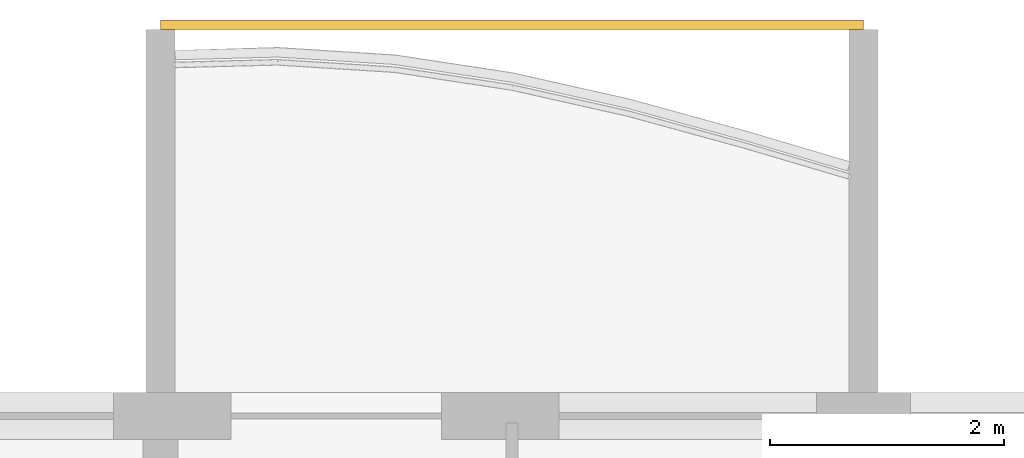
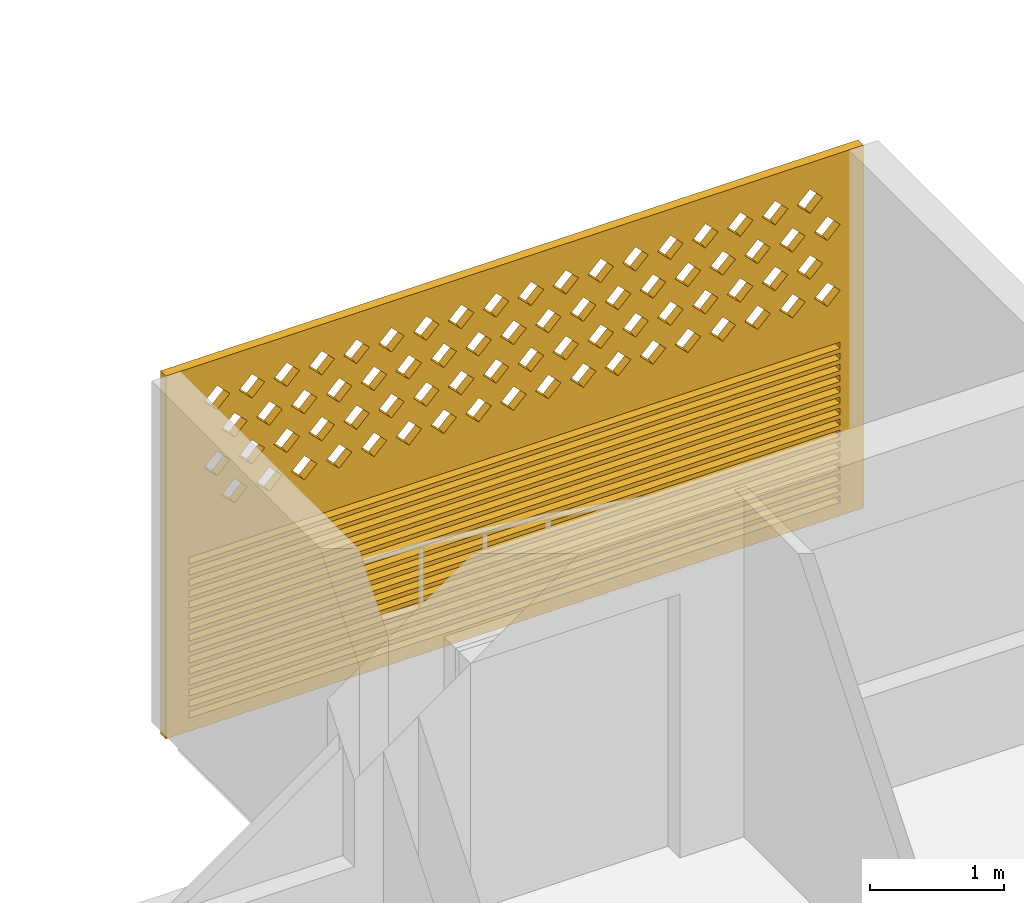
# One storey, part 21 of 31: 1 covering.
"""IFC4 building model written with IfcOpenShell, lengths in metres."""

from ifc_helpers import new_model, si_unit, direction, frame, origin, place, context, subcontext, project, spatial, polyline, outline, extrude, source, transform, mapped, material, material_profile, profile_set, type_object, element, save


model = new_model("IFC4")

# Units and contexts
model_context = context("Model", 3, precision=1e-05, world=origin(), true_north=direction((0.0, 1.0)))
body_context = subcontext(model_context, "Body", "Model", "MODEL_VIEW")
ifc_project = project(units=[si_unit("LENGTHUNIT", "METRE"), si_unit("AREAUNIT", "SQUARE_METRE"), si_unit("VOLUMEUNIT", "CUBIC_METRE"), si_unit("PLANEANGLEUNIT", "RADIAN"), si_unit("MASSUNIT", "GRAM", prefix="KILO")], contexts=[model_context])

# Site, building, storey
site_placement = place(None, origin())
site = spatial("IfcSite", under=ifc_project, at=site_placement, CompositionType="ELEMENT")
building_placement = place(site_placement, origin())
building = spatial("IfcBuilding", under=site, at=building_placement, Name="Poui Terraces", CompositionType="ELEMENT")
storey_placement = place(building_placement, frame((0.0, 0.0, 145.5)))
storey = spatial("IfcBuildingStorey", under=building, at=storey_placement, Name="L40", CompositionType="ELEMENT", Elevation=145.5)

# Covering
ifc_material = material(Name="Terracotta screen", Category="masonry")
ifc_material_profile = material_profile(ifc_material, outline(polyline([(-3.0, -1.64990234375), (3.0, -1.64990234375), (3.0, 1.64990234375), (-3.0, 1.64990234375), (-3.0, -1.64990234375)]), holes=[polyline([(-2.800048828125, 0.39990234375), (-2.68994140625, 0.2900390625), (-2.580078125, 0.39990234375), (-2.68994140625, 0.510009765625), (-2.800048828125, 0.39990234375)]), polyline([(-2.5, 0.39990234375), (-2.389892578125, 0.2900390625), (-2.280029296875, 0.39990234375), (-2.389892578125, 0.510009765625), (-2.5, 0.39990234375)]), polyline([(-2.199951171875, 0.39990234375), (-2.090087890625, 0.2900390625), (-1.97998046875, 0.39990234375), (-2.090087890625, 0.510009765625), (-2.199951171875, 0.39990234375)]), polyline([(-1.89990234375, 0.39990234375), (-1.7900390625, 0.2900390625), (-1.679931640625, 0.39990234375), (-1.7900390625, 0.510009765625), (-1.89990234375, 0.39990234375)]), polyline([(-1.60009765625, 0.39990234375), (-1.489990234375, 0.2900390625), (-1.3798828125, 0.39990234375), (-1.489990234375, 0.510009765625), (-1.60009765625, 0.39990234375)]), polyline([(-1.300048828125, 0.39990234375), (-1.18994140625, 0.2900390625), (-1.080078125, 0.39990234375), (-1.18994140625, 0.510009765625), (-1.300048828125, 0.39990234375)]), polyline([(-1.0, 0.39990234375), (-0.889892578125, 0.2900390625), (-0.780029296875, 0.39990234375), (-0.889892578125, 0.510009765625), (-1.0, 0.39990234375)]), polyline([(-0.699951171875, 0.39990234375), (-0.590087890625, 0.2900390625), (-0.47998046875, 0.39990234375), (-0.590087890625, 0.510009765625), (-0.699951171875, 0.39990234375)]), polyline([(-0.39990234375, 0.39990234375), (-0.2900390625, 0.2900390625), (-0.179931640625, 0.39990234375), (-0.2900390625, 0.510009765625), (-0.39990234375, 0.39990234375)]), polyline([(-0.10009765625, 0.39990234375), (0.010009765625, 0.2900390625), (0.1201171875, 0.39990234375), (0.010009765625, 0.510009765625), (-0.10009765625, 0.39990234375)]), polyline([(0.199951171875, 0.39990234375), (0.31005859375, 0.2900390625), (0.419921875, 0.39990234375), (0.31005859375, 0.510009765625), (0.199951171875, 0.39990234375)]), polyline([(0.5, 0.39990234375), (0.610107421875, 0.2900390625), (0.719970703125, 0.39990234375), (0.610107421875, 0.510009765625), (0.5, 0.39990234375)]), polyline([(0.800048828125, 0.39990234375), (0.909912109375, 0.2900390625), (1.02001953125, 0.39990234375), (0.909912109375, 0.510009765625), (0.800048828125, 0.39990234375)]), polyline([(1.10009765625, 0.39990234375), (1.2099609375, 0.2900390625), (1.320068359375, 0.39990234375), (1.2099609375, 0.510009765625), (1.10009765625, 0.39990234375)]), polyline([(1.39990234375, 0.39990234375), (1.510009765625, 0.2900390625), (1.6201171875, 0.39990234375), (1.510009765625, 0.510009765625), (1.39990234375, 0.39990234375)]), polyline([(1.699951171875, 0.39990234375), (1.81005859375, 0.2900390625), (1.919921875, 0.39990234375), (1.81005859375, 0.510009765625), (1.699951171875, 0.39990234375)]), polyline([(2.0, 0.39990234375), (2.110107421875, 0.2900390625), (2.219970703125, 0.39990234375), (2.110107421875, 0.510009765625), (2.0, 0.39990234375)]), polyline([(2.300048828125, 0.39990234375), (2.409912109375, 0.2900390625), (2.52001953125, 0.39990234375), (2.409912109375, 0.510009765625), (2.300048828125, 0.39990234375)]), polyline([(-2.64990234375, 0.699951171875), (-2.5400390625, 0.590087890625), (-2.429931640625, 0.699951171875), (-2.5400390625, 0.81005859375), (-2.64990234375, 0.699951171875)]), polyline([(-2.35009765625, 0.699951171875), (-2.239990234375, 0.590087890625), (-2.1298828125, 0.699951171875), (-2.239990234375, 0.81005859375), (-2.35009765625, 0.699951171875)]), polyline([(-2.050048828125, 0.699951171875), (-1.93994140625, 0.590087890625), (-1.830078125, 0.699951171875), (-1.93994140625, 0.81005859375), (-2.050048828125, 0.699951171875)]), polyline([(-1.75, 0.699951171875), (-1.639892578125, 0.590087890625), (-1.530029296875, 0.699951171875), (-1.639892578125, 0.81005859375), (-1.75, 0.699951171875)]), polyline([(-1.449951171875, 0.699951171875), (-1.340087890625, 0.590087890625), (-1.22998046875, 0.699951171875), (-1.340087890625, 0.81005859375), (-1.449951171875, 0.699951171875)]), polyline([(-1.14990234375, 0.699951171875), (-1.0400390625, 0.590087890625), (-0.929931640625, 0.699951171875), (-1.0400390625, 0.81005859375), (-1.14990234375, 0.699951171875)]), polyline([(-0.85009765625, 0.699951171875), (-0.739990234375, 0.590087890625), (-0.6298828125, 0.699951171875), (-0.739990234375, 0.81005859375), (-0.85009765625, 0.699951171875)]), polyline([(-0.550048828125, 0.699951171875), (-0.43994140625, 0.590087890625), (-0.330078125, 0.699951171875), (-0.43994140625, 0.81005859375), (-0.550048828125, 0.699951171875)]), polyline([(-0.25, 0.699951171875), (-0.139892578125, 0.590087890625), (-0.030029296875, 0.699951171875), (-0.139892578125, 0.81005859375), (-0.25, 0.699951171875)]), polyline([(0.050048828125, 0.699951171875), (0.159912109375, 0.590087890625), (0.27001953125, 0.699951171875), (0.159912109375, 0.81005859375), (0.050048828125, 0.699951171875)]), polyline([(0.35009765625, 0.699951171875), (0.4599609375, 0.590087890625), (0.570068359375, 0.699951171875), (0.4599609375, 0.81005859375), (0.35009765625, 0.699951171875)]), polyline([(0.64990234375, 0.699951171875), (0.760009765625, 0.590087890625), (0.8701171875, 0.699951171875), (0.760009765625, 0.81005859375), (0.64990234375, 0.699951171875)]), polyline([(0.949951171875, 0.699951171875), (1.06005859375, 0.590087890625), (1.169921875, 0.699951171875), (1.06005859375, 0.81005859375), (0.949951171875, 0.699951171875)]), polyline([(1.25, 0.699951171875), (1.360107421875, 0.590087890625), (1.469970703125, 0.699951171875), (1.360107421875, 0.81005859375), (1.25, 0.699951171875)]), polyline([(1.550048828125, 0.699951171875), (1.659912109375, 0.590087890625), (1.77001953125, 0.699951171875), (1.659912109375, 0.81005859375), (1.550048828125, 0.699951171875)]), polyline([(1.85009765625, 0.699951171875), (1.9599609375, 0.590087890625), (2.070068359375, 0.699951171875), (1.9599609375, 0.81005859375), (1.85009765625, 0.699951171875)]), polyline([(2.14990234375, 0.699951171875), (2.260009765625, 0.590087890625), (2.3701171875, 0.699951171875), (2.260009765625, 0.81005859375), (2.14990234375, 0.699951171875)]), polyline([(2.449951171875, 0.699951171875), (2.56005859375, 0.590087890625), (2.669921875, 0.699951171875), (2.56005859375, 0.81005859375), (2.449951171875, 0.699951171875)]), polyline([(-2.800048828125, 1.0), (-2.68994140625, 0.889892578125), (-2.580078125, 1.0), (-2.68994140625, 1.110107421875), (-2.800048828125, 1.0)]), polyline([(-2.5, 1.0), (-2.389892578125, 0.889892578125), (-2.280029296875, 1.0), (-2.389892578125, 1.110107421875), (-2.5, 1.0)]), polyline([(-2.199951171875, 1.0), (-2.090087890625, 0.889892578125), (-1.97998046875, 1.0), (-2.090087890625, 1.110107421875), (-2.199951171875, 1.0)]), polyline([(-1.89990234375, 1.0), (-1.7900390625, 0.889892578125), (-1.679931640625, 1.0), (-1.7900390625, 1.110107421875), (-1.89990234375, 1.0)]), polyline([(-1.60009765625, 1.0), (-1.489990234375, 0.889892578125), (-1.3798828125, 1.0), (-1.489990234375, 1.110107421875), (-1.60009765625, 1.0)]), polyline([(-1.300048828125, 1.0), (-1.18994140625, 0.889892578125), (-1.080078125, 1.0), (-1.18994140625, 1.110107421875), (-1.300048828125, 1.0)]), polyline([(-1.0, 1.0), (-0.889892578125, 0.889892578125), (-0.780029296875, 1.0), (-0.889892578125, 1.110107421875), (-1.0, 1.0)]), polyline([(-0.699951171875, 1.0), (-0.590087890625, 0.889892578125), (-0.47998046875, 1.0), (-0.590087890625, 1.110107421875), (-0.699951171875, 1.0)]), polyline([(-0.39990234375, 1.0), (-0.2900390625, 0.889892578125), (-0.179931640625, 1.0), (-0.2900390625, 1.110107421875), (-0.39990234375, 1.0)]), polyline([(-0.10009765625, 1.0), (0.010009765625, 0.889892578125), (0.1201171875, 1.0), (0.010009765625, 1.110107421875), (-0.10009765625, 1.0)]), polyline([(0.199951171875, 1.0), (0.31005859375, 0.889892578125), (0.419921875, 1.0), (0.31005859375, 1.110107421875), (0.199951171875, 1.0)]), polyline([(0.5, 1.0), (0.610107421875, 0.889892578125), (0.719970703125, 1.0), (0.610107421875, 1.110107421875), (0.5, 1.0)]), polyline([(0.800048828125, 1.0), (0.909912109375, 0.889892578125), (1.02001953125, 1.0), (0.909912109375, 1.110107421875), (0.800048828125, 1.0)]), polyline([(1.10009765625, 1.0), (1.2099609375, 0.889892578125), (1.320068359375, 1.0), (1.2099609375, 1.110107421875), (1.10009765625, 1.0)]), polyline([(1.39990234375, 1.0), (1.510009765625, 0.889892578125), (1.6201171875, 1.0), (1.510009765625, 1.110107421875), (1.39990234375, 1.0)]), polyline([(1.699951171875, 1.0), (1.81005859375, 0.889892578125), (1.919921875, 1.0), (1.81005859375, 1.110107421875), (1.699951171875, 1.0)]), polyline([(2.0, 1.0), (2.110107421875, 0.889892578125), (2.219970703125, 1.0), (2.110107421875, 1.110107421875), (2.0, 1.0)]), polyline([(2.300048828125, 1.0), (2.409912109375, 0.889892578125), (2.52001953125, 1.0), (2.409912109375, 1.110107421875), (2.300048828125, 1.0)]), polyline([(-2.64990234375, 1.300048828125), (-2.5400390625, 1.18994140625), (-2.429931640625, 1.300048828125), (-2.5400390625, 1.409912109375), (-2.64990234375, 1.300048828125)]), polyline([(-2.35009765625, 1.300048828125), (-2.239990234375, 1.18994140625), (-2.1298828125, 1.300048828125), (-2.239990234375, 1.409912109375), (-2.35009765625, 1.300048828125)]), polyline([(-2.050048828125, 1.300048828125), (-1.93994140625, 1.18994140625), (-1.830078125, 1.300048828125), (-1.93994140625, 1.409912109375), (-2.050048828125, 1.300048828125)]), polyline([(-1.75, 1.300048828125), (-1.639892578125, 1.18994140625), (-1.530029296875, 1.300048828125), (-1.639892578125, 1.409912109375), (-1.75, 1.300048828125)]), polyline([(-1.449951171875, 1.300048828125), (-1.340087890625, 1.18994140625), (-1.22998046875, 1.300048828125), (-1.340087890625, 1.409912109375), (-1.449951171875, 1.300048828125)]), polyline([(-1.14990234375, 1.300048828125), (-1.0400390625, 1.18994140625), (-0.929931640625, 1.300048828125), (-1.0400390625, 1.409912109375), (-1.14990234375, 1.300048828125)]), polyline([(-0.85009765625, 1.300048828125), (-0.739990234375, 1.18994140625), (-0.6298828125, 1.300048828125), (-0.739990234375, 1.409912109375), (-0.85009765625, 1.300048828125)]), polyline([(-0.550048828125, 1.300048828125), (-0.43994140625, 1.18994140625), (-0.330078125, 1.300048828125), (-0.43994140625, 1.409912109375), (-0.550048828125, 1.300048828125)]), polyline([(-0.25, 1.300048828125), (-0.139892578125, 1.18994140625), (-0.030029296875, 1.300048828125), (-0.139892578125, 1.409912109375), (-0.25, 1.300048828125)]), polyline([(0.050048828125, 1.300048828125), (0.159912109375, 1.18994140625), (0.27001953125, 1.300048828125), (0.159912109375, 1.409912109375), (0.050048828125, 1.300048828125)]), polyline([(0.35009765625, 1.300048828125), (0.4599609375, 1.18994140625), (0.570068359375, 1.300048828125), (0.4599609375, 1.409912109375), (0.35009765625, 1.300048828125)]), polyline([(0.64990234375, 1.300048828125), (0.760009765625, 1.18994140625), (0.8701171875, 1.300048828125), (0.760009765625, 1.409912109375), (0.64990234375, 1.300048828125)]), polyline([(0.949951171875, 1.300048828125), (1.06005859375, 1.18994140625), (1.169921875, 1.300048828125), (1.06005859375, 1.409912109375), (0.949951171875, 1.300048828125)]), polyline([(1.25, 1.300048828125), (1.360107421875, 1.18994140625), (1.469970703125, 1.300048828125), (1.360107421875, 1.409912109375), (1.25, 1.300048828125)]), polyline([(1.550048828125, 1.300048828125), (1.659912109375, 1.18994140625), (1.77001953125, 1.300048828125), (1.659912109375, 1.409912109375), (1.550048828125, 1.300048828125)]), polyline([(1.85009765625, 1.300048828125), (1.9599609375, 1.18994140625), (2.070068359375, 1.300048828125), (1.9599609375, 1.409912109375), (1.85009765625, 1.300048828125)]), polyline([(2.14990234375, 1.300048828125), (2.260009765625, 1.18994140625), (2.3701171875, 1.300048828125), (2.260009765625, 1.409912109375), (2.14990234375, 1.300048828125)]), polyline([(2.449951171875, 1.300048828125), (2.56005859375, 1.18994140625), (2.669921875, 1.300048828125), (2.56005859375, 1.409912109375), (2.449951171875, 1.300048828125)]), polyline([(-2.800048828125, -1.530029296875), (2.800048828125, -1.530029296875), (2.800048828125, -1.469970703125), (-2.800048828125, -1.469970703125), (-2.800048828125, -1.530029296875)]), polyline([(-2.800048828125, -1.429931640625), (2.800048828125, -1.429931640625), (2.800048828125, -1.3701171875), (-2.800048828125, -1.3701171875), (-2.800048828125, -1.429931640625)]), polyline([(-2.800048828125, -1.330078125), (2.800048828125, -1.330078125), (2.800048828125, -1.27001953125), (-2.800048828125, -1.27001953125), (-2.800048828125, -1.330078125)]), polyline([(-2.800048828125, -1.22998046875), (2.800048828125, -1.22998046875), (2.800048828125, -1.169921875), (-2.800048828125, -1.169921875), (-2.800048828125, -1.22998046875)]), polyline([(-2.800048828125, -1.1298828125), (2.800048828125, -1.1298828125), (2.800048828125, -1.070068359375), (-2.800048828125, -1.070068359375), (-2.800048828125, -1.1298828125)]), polyline([(-2.800048828125, -1.030029296875), (2.800048828125, -1.030029296875), (2.800048828125, -0.969970703125), (-2.800048828125, -0.969970703125), (-2.800048828125, -1.030029296875)]), polyline([(-2.800048828125, -0.929931640625), (2.800048828125, -0.929931640625), (2.800048828125, -0.8701171875), (-2.800048828125, -0.8701171875), (-2.800048828125, -0.929931640625)]), polyline([(-2.800048828125, -0.830078125), (2.800048828125, -0.830078125), (2.800048828125, -0.77001953125), (-2.800048828125, -0.77001953125), (-2.800048828125, -0.830078125)]), polyline([(-2.800048828125, -0.72998046875), (2.800048828125, -0.72998046875), (2.800048828125, -0.669921875), (-2.800048828125, -0.669921875), (-2.800048828125, -0.72998046875)]), polyline([(-2.800048828125, -0.6298828125), (2.800048828125, -0.6298828125), (2.800048828125, -0.570068359375), (-2.800048828125, -0.570068359375), (-2.800048828125, -0.6298828125)]), polyline([(-2.800048828125, -0.530029296875), (2.800048828125, -0.530029296875), (2.800048828125, -0.469970703125), (-2.800048828125, -0.469970703125), (-2.800048828125, -0.530029296875)]), polyline([(-2.800048828125, -0.429931640625), (2.800048828125, -0.429931640625), (2.800048828125, -0.3701171875), (-2.800048828125, -0.3701171875), (-2.800048828125, -0.429931640625)]), polyline([(-2.800048828125, -0.330078125), (2.800048828125, -0.330078125), (2.800048828125, -0.27001953125), (-2.800048828125, -0.27001953125), (-2.800048828125, -0.330078125)]), polyline([(-2.800048828125, -0.22998046875), (2.800048828125, -0.22998046875), (2.800048828125, -0.169921875), (-2.800048828125, -0.169921875), (-2.800048828125, -0.22998046875)]), polyline([(-2.800048828125, -0.1298828125), (2.800048828125, -0.1298828125), (2.800048828125, -0.070068359375), (-2.800048828125, -0.070068359375), (-2.800048828125, -0.1298828125)])]), Name="TERRACOTTA SCREEN AND JALOUSIE LOUVRE 6000X3300")
ifc_profile_set = profile_set([ifc_material_profile], Name="Terracotta screen")
covering_type = type_object("IfcCoveringType", Name="TERRACOTTA SCREEN AND JALOUSIE LOUVRE 6000X3300", PredefinedType="CLADDING", material=ifc_profile_set)
shared_shape = source(origin(), body_context, "Body", "SweptSolid", [
    extrude(outline(polyline([(-3.0, -1.64990234375), (3.0, -1.64990234375), (3.0, 1.64990234375), (-3.0, 1.64990234375), (-3.0, -1.64990234375)]), holes=[polyline([(-2.800048828125, 0.39990234375), (-2.68994140625, 0.2900390625), (-2.580078125, 0.39990234375), (-2.68994140625, 0.510009765625), (-2.800048828125, 0.39990234375)]), polyline([(-2.5, 0.39990234375), (-2.389892578125, 0.2900390625), (-2.280029296875, 0.39990234375), (-2.389892578125, 0.510009765625), (-2.5, 0.39990234375)]), polyline([(-2.199951171875, 0.39990234375), (-2.090087890625, 0.2900390625), (-1.97998046875, 0.39990234375), (-2.090087890625, 0.510009765625), (-2.199951171875, 0.39990234375)]), polyline([(-1.89990234375, 0.39990234375), (-1.7900390625, 0.2900390625), (-1.679931640625, 0.39990234375), (-1.7900390625, 0.510009765625), (-1.89990234375, 0.39990234375)]), polyline([(-1.60009765625, 0.39990234375), (-1.489990234375, 0.2900390625), (-1.3798828125, 0.39990234375), (-1.489990234375, 0.510009765625), (-1.60009765625, 0.39990234375)]), polyline([(-1.300048828125, 0.39990234375), (-1.18994140625, 0.2900390625), (-1.080078125, 0.39990234375), (-1.18994140625, 0.510009765625), (-1.300048828125, 0.39990234375)]), polyline([(-1.0, 0.39990234375), (-0.889892578125, 0.2900390625), (-0.780029296875, 0.39990234375), (-0.889892578125, 0.510009765625), (-1.0, 0.39990234375)]), polyline([(-0.699951171875, 0.39990234375), (-0.590087890625, 0.2900390625), (-0.47998046875, 0.39990234375), (-0.590087890625, 0.510009765625), (-0.699951171875, 0.39990234375)]), polyline([(-0.39990234375, 0.39990234375), (-0.2900390625, 0.2900390625), (-0.179931640625, 0.39990234375), (-0.2900390625, 0.510009765625), (-0.39990234375, 0.39990234375)]), polyline([(-0.10009765625, 0.39990234375), (0.010009765625, 0.2900390625), (0.1201171875, 0.39990234375), (0.010009765625, 0.510009765625), (-0.10009765625, 0.39990234375)]), polyline([(0.199951171875, 0.39990234375), (0.31005859375, 0.2900390625), (0.419921875, 0.39990234375), (0.31005859375, 0.510009765625), (0.199951171875, 0.39990234375)]), polyline([(0.5, 0.39990234375), (0.610107421875, 0.2900390625), (0.719970703125, 0.39990234375), (0.610107421875, 0.510009765625), (0.5, 0.39990234375)]), polyline([(0.800048828125, 0.39990234375), (0.909912109375, 0.2900390625), (1.02001953125, 0.39990234375), (0.909912109375, 0.510009765625), (0.800048828125, 0.39990234375)]), polyline([(1.10009765625, 0.39990234375), (1.2099609375, 0.2900390625), (1.320068359375, 0.39990234375), (1.2099609375, 0.510009765625), (1.10009765625, 0.39990234375)]), polyline([(1.39990234375, 0.39990234375), (1.510009765625, 0.2900390625), (1.6201171875, 0.39990234375), (1.510009765625, 0.510009765625), (1.39990234375, 0.39990234375)]), polyline([(1.699951171875, 0.39990234375), (1.81005859375, 0.2900390625), (1.919921875, 0.39990234375), (1.81005859375, 0.510009765625), (1.699951171875, 0.39990234375)]), polyline([(2.0, 0.39990234375), (2.110107421875, 0.2900390625), (2.219970703125, 0.39990234375), (2.110107421875, 0.510009765625), (2.0, 0.39990234375)]), polyline([(2.300048828125, 0.39990234375), (2.409912109375, 0.2900390625), (2.52001953125, 0.39990234375), (2.409912109375, 0.510009765625), (2.300048828125, 0.39990234375)]), polyline([(-2.64990234375, 0.699951171875), (-2.5400390625, 0.590087890625), (-2.429931640625, 0.699951171875), (-2.5400390625, 0.81005859375), (-2.64990234375, 0.699951171875)]), polyline([(-2.35009765625, 0.699951171875), (-2.239990234375, 0.590087890625), (-2.1298828125, 0.699951171875), (-2.239990234375, 0.81005859375), (-2.35009765625, 0.699951171875)]), polyline([(-2.050048828125, 0.699951171875), (-1.93994140625, 0.590087890625), (-1.830078125, 0.699951171875), (-1.93994140625, 0.81005859375), (-2.050048828125, 0.699951171875)]), polyline([(-1.75, 0.699951171875), (-1.639892578125, 0.590087890625), (-1.530029296875, 0.699951171875), (-1.639892578125, 0.81005859375), (-1.75, 0.699951171875)]), polyline([(-1.449951171875, 0.699951171875), (-1.340087890625, 0.590087890625), (-1.22998046875, 0.699951171875), (-1.340087890625, 0.81005859375), (-1.449951171875, 0.699951171875)]), polyline([(-1.14990234375, 0.699951171875), (-1.0400390625, 0.590087890625), (-0.929931640625, 0.699951171875), (-1.0400390625, 0.81005859375), (-1.14990234375, 0.699951171875)]), polyline([(-0.85009765625, 0.699951171875), (-0.739990234375, 0.590087890625), (-0.6298828125, 0.699951171875), (-0.739990234375, 0.81005859375), (-0.85009765625, 0.699951171875)]), polyline([(-0.550048828125, 0.699951171875), (-0.43994140625, 0.590087890625), (-0.330078125, 0.699951171875), (-0.43994140625, 0.81005859375), (-0.550048828125, 0.699951171875)]), polyline([(-0.25, 0.699951171875), (-0.139892578125, 0.590087890625), (-0.030029296875, 0.699951171875), (-0.139892578125, 0.81005859375), (-0.25, 0.699951171875)]), polyline([(0.050048828125, 0.699951171875), (0.159912109375, 0.590087890625), (0.27001953125, 0.699951171875), (0.159912109375, 0.81005859375), (0.050048828125, 0.699951171875)]), polyline([(0.35009765625, 0.699951171875), (0.4599609375, 0.590087890625), (0.570068359375, 0.699951171875), (0.4599609375, 0.81005859375), (0.35009765625, 0.699951171875)]), polyline([(0.64990234375, 0.699951171875), (0.760009765625, 0.590087890625), (0.8701171875, 0.699951171875), (0.760009765625, 0.81005859375), (0.64990234375, 0.699951171875)]), polyline([(0.949951171875, 0.699951171875), (1.06005859375, 0.590087890625), (1.169921875, 0.699951171875), (1.06005859375, 0.81005859375), (0.949951171875, 0.699951171875)]), polyline([(1.25, 0.699951171875), (1.360107421875, 0.590087890625), (1.469970703125, 0.699951171875), (1.360107421875, 0.81005859375), (1.25, 0.699951171875)]), polyline([(1.550048828125, 0.699951171875), (1.659912109375, 0.590087890625), (1.77001953125, 0.699951171875), (1.659912109375, 0.81005859375), (1.550048828125, 0.699951171875)]), polyline([(1.85009765625, 0.699951171875), (1.9599609375, 0.590087890625), (2.070068359375, 0.699951171875), (1.9599609375, 0.81005859375), (1.85009765625, 0.699951171875)]), polyline([(2.14990234375, 0.699951171875), (2.260009765625, 0.590087890625), (2.3701171875, 0.699951171875), (2.260009765625, 0.81005859375), (2.14990234375, 0.699951171875)]), polyline([(2.449951171875, 0.699951171875), (2.56005859375, 0.590087890625), (2.669921875, 0.699951171875), (2.56005859375, 0.81005859375), (2.449951171875, 0.699951171875)]), polyline([(-2.800048828125, 1.0), (-2.68994140625, 0.889892578125), (-2.580078125, 1.0), (-2.68994140625, 1.110107421875), (-2.800048828125, 1.0)]), polyline([(-2.5, 1.0), (-2.389892578125, 0.889892578125), (-2.280029296875, 1.0), (-2.389892578125, 1.110107421875), (-2.5, 1.0)]), polyline([(-2.199951171875, 1.0), (-2.090087890625, 0.889892578125), (-1.97998046875, 1.0), (-2.090087890625, 1.110107421875), (-2.199951171875, 1.0)]), polyline([(-1.89990234375, 1.0), (-1.7900390625, 0.889892578125), (-1.679931640625, 1.0), (-1.7900390625, 1.110107421875), (-1.89990234375, 1.0)]), polyline([(-1.60009765625, 1.0), (-1.489990234375, 0.889892578125), (-1.3798828125, 1.0), (-1.489990234375, 1.110107421875), (-1.60009765625, 1.0)]), polyline([(-1.300048828125, 1.0), (-1.18994140625, 0.889892578125), (-1.080078125, 1.0), (-1.18994140625, 1.110107421875), (-1.300048828125, 1.0)]), polyline([(-1.0, 1.0), (-0.889892578125, 0.889892578125), (-0.780029296875, 1.0), (-0.889892578125, 1.110107421875), (-1.0, 1.0)]), polyline([(-0.699951171875, 1.0), (-0.590087890625, 0.889892578125), (-0.47998046875, 1.0), (-0.590087890625, 1.110107421875), (-0.699951171875, 1.0)]), polyline([(-0.39990234375, 1.0), (-0.2900390625, 0.889892578125), (-0.179931640625, 1.0), (-0.2900390625, 1.110107421875), (-0.39990234375, 1.0)]), polyline([(-0.10009765625, 1.0), (0.010009765625, 0.889892578125), (0.1201171875, 1.0), (0.010009765625, 1.110107421875), (-0.10009765625, 1.0)]), polyline([(0.199951171875, 1.0), (0.31005859375, 0.889892578125), (0.419921875, 1.0), (0.31005859375, 1.110107421875), (0.199951171875, 1.0)]), polyline([(0.5, 1.0), (0.610107421875, 0.889892578125), (0.719970703125, 1.0), (0.610107421875, 1.110107421875), (0.5, 1.0)]), polyline([(0.800048828125, 1.0), (0.909912109375, 0.889892578125), (1.02001953125, 1.0), (0.909912109375, 1.110107421875), (0.800048828125, 1.0)]), polyline([(1.10009765625, 1.0), (1.2099609375, 0.889892578125), (1.320068359375, 1.0), (1.2099609375, 1.110107421875), (1.10009765625, 1.0)]), polyline([(1.39990234375, 1.0), (1.510009765625, 0.889892578125), (1.6201171875, 1.0), (1.510009765625, 1.110107421875), (1.39990234375, 1.0)]), polyline([(1.699951171875, 1.0), (1.81005859375, 0.889892578125), (1.919921875, 1.0), (1.81005859375, 1.110107421875), (1.699951171875, 1.0)]), polyline([(2.0, 1.0), (2.110107421875, 0.889892578125), (2.219970703125, 1.0), (2.110107421875, 1.110107421875), (2.0, 1.0)]), polyline([(2.300048828125, 1.0), (2.409912109375, 0.889892578125), (2.52001953125, 1.0), (2.409912109375, 1.110107421875), (2.300048828125, 1.0)]), polyline([(-2.64990234375, 1.300048828125), (-2.5400390625, 1.18994140625), (-2.429931640625, 1.300048828125), (-2.5400390625, 1.409912109375), (-2.64990234375, 1.300048828125)]), polyline([(-2.35009765625, 1.300048828125), (-2.239990234375, 1.18994140625), (-2.1298828125, 1.300048828125), (-2.239990234375, 1.409912109375), (-2.35009765625, 1.300048828125)]), polyline([(-2.050048828125, 1.300048828125), (-1.93994140625, 1.18994140625), (-1.830078125, 1.300048828125), (-1.93994140625, 1.409912109375), (-2.050048828125, 1.300048828125)]), polyline([(-1.75, 1.300048828125), (-1.639892578125, 1.18994140625), (-1.530029296875, 1.300048828125), (-1.639892578125, 1.409912109375), (-1.75, 1.300048828125)]), polyline([(-1.449951171875, 1.300048828125), (-1.340087890625, 1.18994140625), (-1.22998046875, 1.300048828125), (-1.340087890625, 1.409912109375), (-1.449951171875, 1.300048828125)]), polyline([(-1.14990234375, 1.300048828125), (-1.0400390625, 1.18994140625), (-0.929931640625, 1.300048828125), (-1.0400390625, 1.409912109375), (-1.14990234375, 1.300048828125)]), polyline([(-0.85009765625, 1.300048828125), (-0.739990234375, 1.18994140625), (-0.6298828125, 1.300048828125), (-0.739990234375, 1.409912109375), (-0.85009765625, 1.300048828125)]), polyline([(-0.550048828125, 1.300048828125), (-0.43994140625, 1.18994140625), (-0.330078125, 1.300048828125), (-0.43994140625, 1.409912109375), (-0.550048828125, 1.300048828125)]), polyline([(-0.25, 1.300048828125), (-0.139892578125, 1.18994140625), (-0.030029296875, 1.300048828125), (-0.139892578125, 1.409912109375), (-0.25, 1.300048828125)]), polyline([(0.050048828125, 1.300048828125), (0.159912109375, 1.18994140625), (0.27001953125, 1.300048828125), (0.159912109375, 1.409912109375), (0.050048828125, 1.300048828125)]), polyline([(0.35009765625, 1.300048828125), (0.4599609375, 1.18994140625), (0.570068359375, 1.300048828125), (0.4599609375, 1.409912109375), (0.35009765625, 1.300048828125)]), polyline([(0.64990234375, 1.300048828125), (0.760009765625, 1.18994140625), (0.8701171875, 1.300048828125), (0.760009765625, 1.409912109375), (0.64990234375, 1.300048828125)]), polyline([(0.949951171875, 1.300048828125), (1.06005859375, 1.18994140625), (1.169921875, 1.300048828125), (1.06005859375, 1.409912109375), (0.949951171875, 1.300048828125)]), polyline([(1.25, 1.300048828125), (1.360107421875, 1.18994140625), (1.469970703125, 1.300048828125), (1.360107421875, 1.409912109375), (1.25, 1.300048828125)]), polyline([(1.550048828125, 1.300048828125), (1.659912109375, 1.18994140625), (1.77001953125, 1.300048828125), (1.659912109375, 1.409912109375), (1.550048828125, 1.300048828125)]), polyline([(1.85009765625, 1.300048828125), (1.9599609375, 1.18994140625), (2.070068359375, 1.300048828125), (1.9599609375, 1.409912109375), (1.85009765625, 1.300048828125)]), polyline([(2.14990234375, 1.300048828125), (2.260009765625, 1.18994140625), (2.3701171875, 1.300048828125), (2.260009765625, 1.409912109375), (2.14990234375, 1.300048828125)]), polyline([(2.449951171875, 1.300048828125), (2.56005859375, 1.18994140625), (2.669921875, 1.300048828125), (2.56005859375, 1.409912109375), (2.449951171875, 1.300048828125)]), polyline([(-2.800048828125, -1.530029296875), (2.800048828125, -1.530029296875), (2.800048828125, -1.469970703125), (-2.800048828125, -1.469970703125), (-2.800048828125, -1.530029296875)]), polyline([(-2.800048828125, -1.429931640625), (2.800048828125, -1.429931640625), (2.800048828125, -1.3701171875), (-2.800048828125, -1.3701171875), (-2.800048828125, -1.429931640625)]), polyline([(-2.800048828125, -1.330078125), (2.800048828125, -1.330078125), (2.800048828125, -1.27001953125), (-2.800048828125, -1.27001953125), (-2.800048828125, -1.330078125)]), polyline([(-2.800048828125, -1.22998046875), (2.800048828125, -1.22998046875), (2.800048828125, -1.169921875), (-2.800048828125, -1.169921875), (-2.800048828125, -1.22998046875)]), polyline([(-2.800048828125, -1.1298828125), (2.800048828125, -1.1298828125), (2.800048828125, -1.070068359375), (-2.800048828125, -1.070068359375), (-2.800048828125, -1.1298828125)]), polyline([(-2.800048828125, -1.030029296875), (2.800048828125, -1.030029296875), (2.800048828125, -0.969970703125), (-2.800048828125, -0.969970703125), (-2.800048828125, -1.030029296875)]), polyline([(-2.800048828125, -0.929931640625), (2.800048828125, -0.929931640625), (2.800048828125, -0.8701171875), (-2.800048828125, -0.8701171875), (-2.800048828125, -0.929931640625)]), polyline([(-2.800048828125, -0.830078125), (2.800048828125, -0.830078125), (2.800048828125, -0.77001953125), (-2.800048828125, -0.77001953125), (-2.800048828125, -0.830078125)]), polyline([(-2.800048828125, -0.72998046875), (2.800048828125, -0.72998046875), (2.800048828125, -0.669921875), (-2.800048828125, -0.669921875), (-2.800048828125, -0.72998046875)]), polyline([(-2.800048828125, -0.6298828125), (2.800048828125, -0.6298828125), (2.800048828125, -0.570068359375), (-2.800048828125, -0.570068359375), (-2.800048828125, -0.6298828125)]), polyline([(-2.800048828125, -0.530029296875), (2.800048828125, -0.530029296875), (2.800048828125, -0.469970703125), (-2.800048828125, -0.469970703125), (-2.800048828125, -0.530029296875)]), polyline([(-2.800048828125, -0.429931640625), (2.800048828125, -0.429931640625), (2.800048828125, -0.3701171875), (-2.800048828125, -0.3701171875), (-2.800048828125, -0.429931640625)]), polyline([(-2.800048828125, -0.330078125), (2.800048828125, -0.330078125), (2.800048828125, -0.27001953125), (-2.800048828125, -0.27001953125), (-2.800048828125, -0.330078125)]), polyline([(-2.800048828125, -0.22998046875), (2.800048828125, -0.22998046875), (2.800048828125, -0.169921875), (-2.800048828125, -0.169921875), (-2.800048828125, -0.22998046875)]), polyline([(-2.800048828125, -0.1298828125), (2.800048828125, -0.1298828125), (2.800048828125, -0.070068359375), (-2.800048828125, -0.070068359375), (-2.800048828125, -0.1298828125)])]), origin(), (0.0, 0.0, 1.0), 0.080078125),
])
covering_placement = place(storey_placement, frame((39.0, 45.699951171875, 1.449951171875), z_axis=(0.0, 1.0, 0.0), x_axis=(-1.0, 0.0, 0.0)))
element("IfcCovering", 1, at=covering_placement, inside=storey, type_object=covering_type, Name="SOLAR SCREEN AND JALOUSIE LOUVRE", PredefinedType="CLADDING", context=body_context, shape_type="MappedRepresentation", body=[
    mapped(shared_shape, transform((0.0, 0.0, 0.0))),
])

save(model, "model.ifc")
